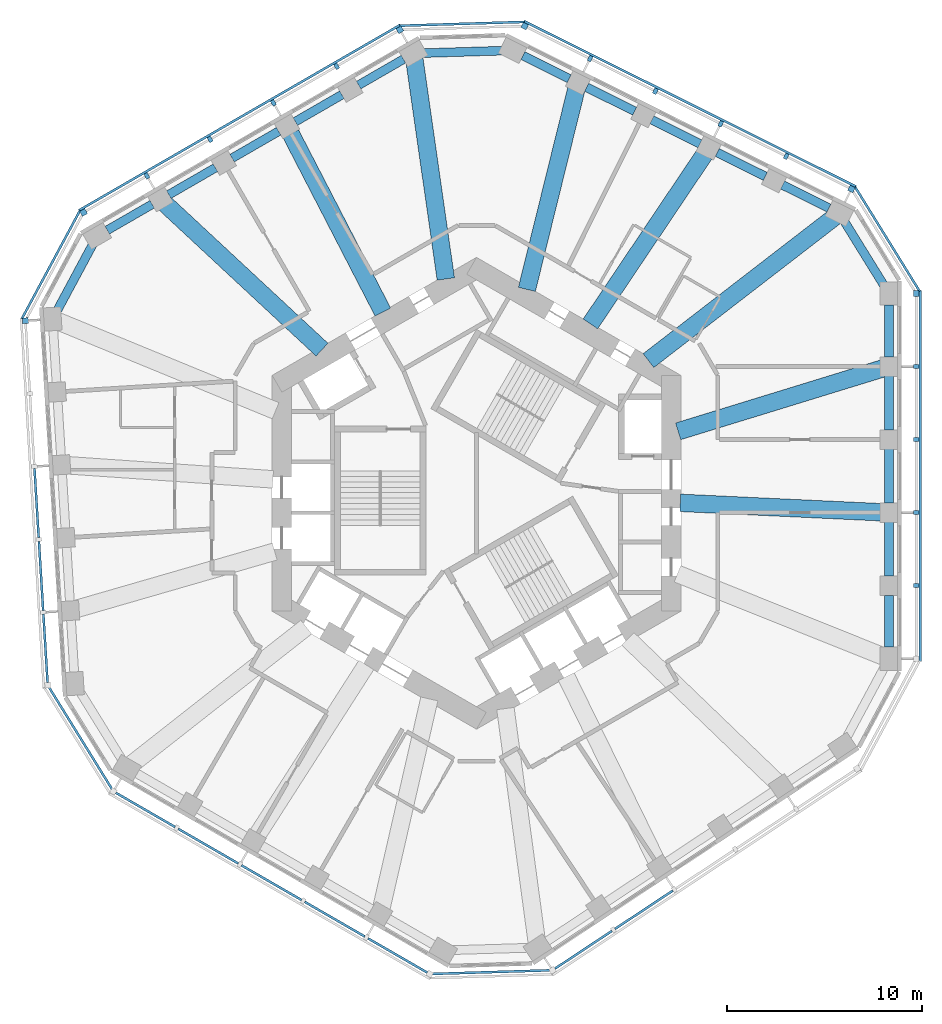
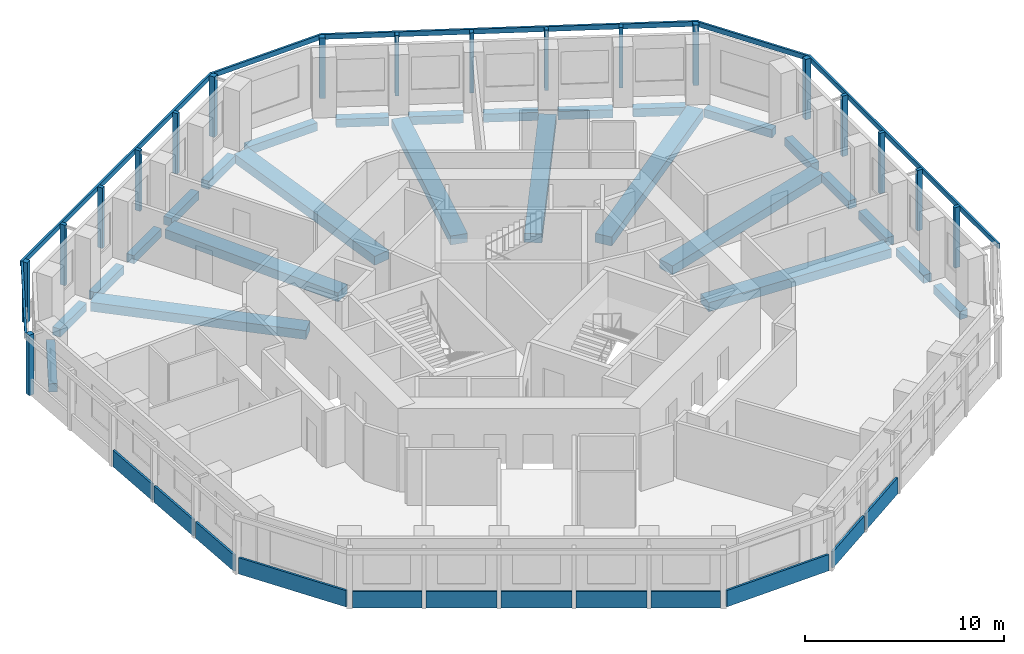
# One storey, part 2 of 10: 26 beams, 24 members, 12 plates, 11 elements without a shape of their own.
"""IFC4 building model written with IfcOpenShell, lengths in metres."""

from ifc_helpers import new_model, si_unit, direction, frame, origin, origin_2d, place, context, subcontext, project, spatial, rectangle, extrude, material, layer, layer_set, material_profile, profile_set, type_object, element, aggregate, save


model = new_model("IFC4")

# Units and contexts
model_context = context("Model", 3, precision=1e-05, world=origin(), true_north=direction((0.0, 1.0)))
body_context = subcontext(model_context, "Body", "Model", "MODEL_VIEW")
ifc_project = project(units=[si_unit("LENGTHUNIT", "METRE"), si_unit("AREAUNIT", "SQUARE_METRE"), si_unit("VOLUMEUNIT", "CUBIC_METRE"), si_unit("PLANEANGLEUNIT", "RADIAN"), si_unit("MASSUNIT", "GRAM", prefix="KILO")], contexts=[model_context])

# Site, building, storey
site_placement = place(None, origin())
site = spatial("IfcSite", under=ifc_project, at=site_placement, CompositionType="ELEMENT")
building_placement = place(site_placement, origin())
building = spatial("IfcBuilding", under=site, at=building_placement, Name="Vanh Sen Convention Tower", CompositionType="ELEMENT")
storey_placement = place(building_placement, frame((0.0, 0.0, 157.699951171875)))
storey = spatial("IfcBuildingStorey", under=building, at=storey_placement, Name="L38", CompositionType="ELEMENT", Elevation=157.699951171875)

# Curtain wall, member
ifc_material_1 = material(Name="Concrete C50/60", Category="concrete")
curtain_wall_type = type_object("IfcCurtainWallType", Name="Outer skin office zone", PredefinedType="NOTDEFINED", material=ifc_material_1)
curtain_wall_1_placement = place(storey_placement, origin())
curtain_wall_1 = element("IfcCurtainWall", 1, at=curtain_wall_1_placement, inside=storey, type_object=curtain_wall_type, Name="OUTER SKIN E L38", PredefinedType="NOTDEFINED")
ifc_material_profile_1 = material_profile(ifc_material_1, rectangle(XDim=0.300048828125, YDim=0.300048828125, at=origin_2d()), Name="Outer skin precast corner fin 300 x 300")
ifc_profile_set_1 = profile_set([ifc_material_profile_1], Name="Concrete C50/60")
member_type_1 = type_object("IfcMemberType", Name="Outer skin precast corner fin 300 x 300", PredefinedType="MULLION", material=ifc_profile_set_1)
member_1_placement = place(storey_placement, frame((22.60009765625, 10.26953125, 0.0), z_axis=(0.0, 0.0, 1.0), x_axis=(0.0, 1.0, 0.0)))
member_1 = element("IfcMember", 2, at=member_1_placement, type_object=member_type_1, Name="OUTER SKIN CORNER FIN 6 E L38", PredefinedType="MULLION", context=body_context, shape_type="SweptSolid", body=[
    extrude(rectangle(XDim=0.300048828125, YDim=0.300048828125, at=origin_2d()), origin(), (0.0, 0.0, 1.0), 3.699951171875),
])

# Curtain wall, members
curtain_wall_2_placement = place(storey_placement, origin())
curtain_wall_2 = element("IfcCurtainWall", 3, at=curtain_wall_2_placement, inside=storey, type_object=curtain_wall_type, Name="OUTER SKIN NE L38", PredefinedType="NOTDEFINED")
member_2_placement = place(storey_placement, frame((19.274658203125, 15.643310546875, 0.0), z_axis=(0.0, 0.0, 1.0), x_axis=(-0.894934361602, 0.44619781311, 0.0)))
member_2 = element("IfcMember", 4, at=member_2_placement, type_object=member_type_1, Name="OUTER SKIN CORNER FIN 1 NE L38", PredefinedType="MULLION", context=body_context, shape_type="SweptSolid", body=[
    extrude(rectangle(XDim=0.300048828125, YDim=0.300048828125, at=origin_2d()), origin(), (0.0, 0.0, 1.0), 3.699951171875),
])
member_3_placement = place(storey_placement, frame((2.476318359375, 24.0185546875, 0.0), z_axis=(0.0, 0.0, 1.0), x_axis=(-0.894934361602, 0.44619781311, 0.0)))
member_3 = element("IfcMember", 5, at=member_3_placement, type_object=member_type_1, Name="OUTER SKIN CORNER FIN 6 NE L38", PredefinedType="MULLION", context=body_context, shape_type="SweptSolid", body=[
    extrude(rectangle(XDim=0.300048828125, YDim=0.300048828125, at=origin_2d()), origin(), (0.0, 0.0, 1.0), 3.699951171875),
])

curtain_wall_3_placement = place(storey_placement, origin())
curtain_wall_3 = element("IfcCurtainWall", 6, at=curtain_wall_3_placement, inside=storey, type_object=curtain_wall_type, Name="OUTER SKIN NW L38", PredefinedType="NOTDEFINED")
member_4_placement = place(storey_placement, frame((-3.93798828125, 23.822509765625, 0.0), z_axis=(0.0, 0.0, 1.0), x_axis=(-0.866025403784, -0.5, 0.0)))
member_4 = element("IfcMember", 7, at=member_4_placement, type_object=member_type_1, Name="OUTER SKIN CORNER FIN 1 NW L38", PredefinedType="MULLION", context=body_context, shape_type="SweptSolid", body=[
    extrude(rectangle(XDim=0.300048828125, YDim=0.300048828125, at=origin_2d()), origin(), (0.0, 0.0, 1.0), 3.699951171875),
])
member_5_placement = place(storey_placement, frame((-20.193603515625, 14.4375, 0.0), z_axis=(0.0, 0.0, 1.0), x_axis=(-0.866025403784, -0.5, 0.0)))
member_5 = element("IfcMember", 8, at=member_5_placement, type_object=member_type_1, Name="OUTER SKIN CORNER FIN 6 NW L38", PredefinedType="MULLION", context=body_context, shape_type="SweptSolid", body=[
    extrude(rectangle(XDim=0.300048828125, YDim=0.300048828125, at=origin_2d()), origin(), (0.0, 0.0, 1.0), 3.699951171875),
])

# Curtain wall, member
curtain_wall_4_placement = place(storey_placement, origin())
curtain_wall_4 = element("IfcCurtainWall", 9, at=curtain_wall_4_placement, inside=storey, type_object=curtain_wall_type, Name="OUTER SKIN W L38", PredefinedType="NOTDEFINED")
member_6_placement = place(storey_placement, frame((-23.184814453125, 8.87060546875, 0.0), z_axis=(0.0, 0.0, 1.0), x_axis=(0.061048539535, -0.998134798422, 0.0)))
member_6 = element("IfcMember", 10, at=member_6_placement, type_object=member_type_1, Name="OUTER SKIN CORNER FIN 1 W L38", PredefinedType="MULLION", context=body_context, shape_type="SweptSolid", body=[
    extrude(rectangle(XDim=0.300048828125, YDim=0.300048828125, at=origin_2d()), origin(), (0.0, 0.0, 1.0), 3.699951171875),
])

# Member
ifc_material_profile_2 = material_profile(ifc_material_1, rectangle(XDim=0.199951171875, YDim=0.300048828125, at=origin_2d()), Name="Outer skin precast fin 200 x 300")
ifc_profile_set_2 = profile_set([ifc_material_profile_2], Name="Concrete C50/60")
member_type_2 = type_object("IfcMemberType", Name="Outer skin precast fin 200 x 300", PredefinedType="MULLION", material=ifc_profile_set_2)
member_7_placement = place(storey_placement, frame((22.60009765625, -4.746826171875, 0.0), z_axis=(0.0, 0.0, 1.0), x_axis=(0.0, 1.0, 0.0)))
member_7 = element("IfcMember", 11, at=member_7_placement, type_object=member_type_2, Name="OUTER SKIN fin 2 E L38", PredefinedType="MULLION", context=body_context, shape_type="SweptSolid", body=[
    extrude(rectangle(XDim=0.199951171875, YDim=0.300048828125, at=origin_2d()), origin(), (0.0, 0.0, 1.0), 3.699951171875),
])

member_8_placement = place(storey_placement, frame((22.60009765625, -0.992919921875, 0.0), z_axis=(0.0, 0.0, 1.0), x_axis=(0.0, 1.0, 0.0)))
member_8 = element("IfcMember", 12, at=member_8_placement, type_object=member_type_2, Name="OUTER SKIN fin 3 E L38", PredefinedType="MULLION", context=body_context, shape_type="SweptSolid", body=[
    extrude(rectangle(XDim=0.199951171875, YDim=0.300048828125, at=origin_2d()), origin(), (0.0, 0.0, 1.0), 3.699951171875),
])

member_9_placement = place(storey_placement, frame((22.60009765625, 2.76123046875, 0.0), z_axis=(0.0, 0.0, 1.0), x_axis=(0.0, 1.0, 0.0)))
member_9 = element("IfcMember", 13, at=member_9_placement, type_object=member_type_2, Name="OUTER SKIN fin 4 E L38", PredefinedType="MULLION", context=body_context, shape_type="SweptSolid", body=[
    extrude(rectangle(XDim=0.199951171875, YDim=0.300048828125, at=origin_2d()), origin(), (0.0, 0.0, 1.0), 3.699951171875),
])

member_10_placement = place(storey_placement, frame((22.60009765625, 6.515380859375, 0.0), z_axis=(0.0, 0.0, 1.0), x_axis=(0.0, 1.0, 0.0)))
member_10 = element("IfcMember", 14, at=member_10_placement, type_object=member_type_2, Name="OUTER SKIN fin 5 E L38", PredefinedType="MULLION", context=body_context, shape_type="SweptSolid", body=[
    extrude(rectangle(XDim=0.199951171875, YDim=0.300048828125, at=origin_2d()), origin(), (0.0, 0.0, 1.0), 3.699951171875),
])

member_11_placement = place(storey_placement, frame((15.9150390625, 17.318359375, 0.0), z_axis=(0.0, 0.0, 1.0), x_axis=(-0.894934361602, 0.44619781311, 0.0)))
member_11 = element("IfcMember", 15, at=member_11_placement, type_object=member_type_2, Name="OUTER SKIN fin 2 NE L38", PredefinedType="MULLION", context=body_context, shape_type="SweptSolid", body=[
    extrude(rectangle(XDim=0.199951171875, YDim=0.300048828125, at=origin_2d()), origin(), (0.0, 0.0, 1.0), 3.699951171875),
])

member_12_placement = place(storey_placement, frame((12.555419921875, 18.993408203125, 0.0), z_axis=(0.0, 0.0, 1.0), x_axis=(-0.894934361602, 0.44619781311, 0.0)))
member_12 = element("IfcMember", 16, at=member_12_placement, type_object=member_type_2, Name="OUTER SKIN fin 3 NE L38", PredefinedType="MULLION", context=body_context, shape_type="SweptSolid", body=[
    extrude(rectangle(XDim=0.199951171875, YDim=0.300048828125, at=origin_2d()), origin(), (0.0, 0.0, 1.0), 3.699951171875),
])

member_13_placement = place(storey_placement, frame((9.195556640625, 20.66845703125, 0.0), z_axis=(0.0, 0.0, 1.0), x_axis=(-0.894934361602, 0.44619781311, 0.0)))
member_13 = element("IfcMember", 17, at=member_13_placement, type_object=member_type_2, Name="OUTER SKIN fin 4 NE L38", PredefinedType="MULLION", context=body_context, shape_type="SweptSolid", body=[
    extrude(rectangle(XDim=0.199951171875, YDim=0.300048828125, at=origin_2d()), origin(), (0.0, 0.0, 1.0), 3.699951171875),
])

member_14_placement = place(storey_placement, frame((5.8359375, 22.343505859375, 0.0), z_axis=(0.0, 0.0, 1.0), x_axis=(-0.894934361602, 0.44619781311, 0.0)))
member_14 = element("IfcMember", 18, at=member_14_placement, type_object=member_type_2, Name="OUTER SKIN fin 5 NE L38", PredefinedType="MULLION", context=body_context, shape_type="SweptSolid", body=[
    extrude(rectangle(XDim=0.199951171875, YDim=0.300048828125, at=origin_2d()), origin(), (0.0, 0.0, 1.0), 3.699951171875),
])

member_15_placement = place(storey_placement, frame((-7.189208984375, 21.945556640625, 0.0), z_axis=(0.0, 0.0, 1.0), x_axis=(-0.866025403784, -0.5, 0.0)))
member_15 = element("IfcMember", 19, at=member_15_placement, type_object=member_type_2, Name="OUTER SKIN fin 2 NW L38", PredefinedType="MULLION", context=body_context, shape_type="SweptSolid", body=[
    extrude(rectangle(XDim=0.199951171875, YDim=0.300048828125, at=origin_2d()), origin(), (0.0, 0.0, 1.0), 3.699951171875),
])

member_16_placement = place(storey_placement, frame((-10.440185546875, 20.068603515625, 0.0), z_axis=(0.0, 0.0, 1.0), x_axis=(-0.866025403784, -0.5, 0.0)))
member_16 = element("IfcMember", 20, at=member_16_placement, type_object=member_type_2, Name="OUTER SKIN fin 3 NW L38", PredefinedType="MULLION", context=body_context, shape_type="SweptSolid", body=[
    extrude(rectangle(XDim=0.199951171875, YDim=0.300048828125, at=origin_2d()), origin(), (0.0, 0.0, 1.0), 3.699951171875),
])

member_17_placement = place(storey_placement, frame((-13.69140625, 18.19140625, 0.0), z_axis=(0.0, 0.0, 1.0), x_axis=(-0.866025403784, -0.5, 0.0)))
member_17 = element("IfcMember", 21, at=member_17_placement, type_object=member_type_2, Name="OUTER SKIN fin 4 NW L38", PredefinedType="MULLION", context=body_context, shape_type="SweptSolid", body=[
    extrude(rectangle(XDim=0.199951171875, YDim=0.300048828125, at=origin_2d()), origin(), (0.0, 0.0, 1.0), 3.699951171875),
])

member_18_placement = place(storey_placement, frame((-16.9423828125, 16.314453125, 0.0), z_axis=(0.0, 0.0, 1.0), x_axis=(-0.866025403784, -0.5, 0.0)))
member_18 = element("IfcMember", 22, at=member_18_placement, type_object=member_type_2, Name="OUTER SKIN fin 5 NW L38", PredefinedType="MULLION", context=body_context, shape_type="SweptSolid", body=[
    extrude(rectangle(XDim=0.199951171875, YDim=0.300048828125, at=origin_2d()), origin(), (0.0, 0.0, 1.0), 3.699951171875),
])

ifc_material_profile_3 = material_profile(ifc_material_1, rectangle(XDim=0.1201171875, YDim=0.300048828125, at=origin_2d()), Name="Outer skin precast spandrel band 300 x 120")
ifc_profile_set_3 = profile_set([ifc_material_profile_3], Name="Concrete C50/60")
member_type_3 = type_object("IfcMemberType", Name="Outer skin precast spandrel band 300 x 120", PredefinedType="USERDEFINED", material=ifc_profile_set_3)
member_19_placement = place(storey_placement, frame((22.81005859375, -8.65087890625, 3.550048828125), z_axis=(0.0, 1.0, 0.0), x_axis=(-1.0, 0.0, 0.0)))
member_19 = element("IfcMember", 23, at=member_19_placement, type_object=member_type_3, Name="OUTER SKIN spandrel band E L38", ObjectType="TRANSOM", PredefinedType="USERDEFINED", context=body_context, shape_type="SweptSolid", body=[
    extrude(rectangle(XDim=0.1201171875, YDim=0.300048828125, at=origin_2d()), origin(), (0.0, 0.0, 1.0), 19.0703125),
])

aggregate(curtain_wall_1, [member_7, member_8, member_9, member_10, member_1, member_19])

# Curtain wall, member
curtain_wall_5_placement = place(storey_placement, origin())
curtain_wall_5 = element("IfcCurtainWall", 24, at=curtain_wall_5_placement, inside=storey, type_object=curtain_wall_type, Name="OUTER SKIN CH1 L38", PredefinedType="NOTDEFINED")
member_20_placement = place(storey_placement, frame((22.778564453125, 10.3798828125, 3.550048828125), z_axis=(-0.526173726926, 0.850377098171, 0.0), x_axis=(-0.850377098171, -0.526173726926, 0.0)))
member_20 = element("IfcMember", 25, at=member_20_placement, type_object=member_type_3, Name="OUTER SKIN spandrel band CH1 L38", ObjectType="TRANSOM", PredefinedType="USERDEFINED", context=body_context, shape_type="SweptSolid", body=[
    extrude(rectangle(XDim=0.1201171875, YDim=0.300048828125, at=origin_2d()), origin(), (0.0, 0.0, 1.0), 6.319580078125),
])
aggregate(curtain_wall_5, [member_20])

# Member
member_21_placement = place(storey_placement, frame((19.502685546875, 15.764404296875, 3.550048828125), z_axis=(-0.894941234474, 0.446184027996, 0.0), x_axis=(-0.446184027996, -0.894941234474, 0.0)))
member_21 = element("IfcMember", 26, at=member_21_placement, type_object=member_type_3, Name="OUTER SKIN spandrel band NE L38", ObjectType="TRANSOM", PredefinedType="USERDEFINED", context=body_context, shape_type="SweptSolid", body=[
    extrude(rectangle(XDim=0.1201171875, YDim=0.300048828125, at=origin_2d()), origin(), (0.0, 0.0, 1.0), 19.07080078125),
])

aggregate(curtain_wall_2, [member_2, member_11, member_12, member_13, member_14, member_3, member_21])

# Curtain wall, member
curtain_wall_6_placement = place(storey_placement, origin())
curtain_wall_6 = element("IfcCurtainWall", 27, at=curtain_wall_6_placement, inside=storey, type_object=curtain_wall_type, Name="OUTER SKIN CH2 L38", PredefinedType="NOTDEFINED")
member_22_placement = place(storey_placement, frame((2.4697265625, 24.228515625, 3.550048828125), z_axis=(-0.999533221695, -0.030550592913, 0.0), x_axis=(0.030550592913, -0.999533221695, 0.0)))
member_22 = element("IfcMember", 28, at=member_22_placement, type_object=member_type_3, Name="OUTER SKIN spandrel band CH2 L38", ObjectType="TRANSOM", PredefinedType="USERDEFINED", context=body_context, shape_type="SweptSolid", body=[
    extrude(rectangle(XDim=0.1201171875, YDim=0.300048828125, at=origin_2d()), origin(), (0.0, 0.0, 1.0), 6.4169921875),
])
aggregate(curtain_wall_6, [member_22])

# Member
member_23_placement = place(storey_placement, frame((-3.9130859375, 24.07958984375, 3.550048828125), z_axis=(-0.866023136587, -0.500003926881, 0.0), x_axis=(0.500003926881, -0.866023136587, 0.0)))
member_23 = element("IfcMember", 29, at=member_23_placement, type_object=member_type_3, Name="OUTER SKIN spandrel band NW L38", ObjectType="TRANSOM", PredefinedType="USERDEFINED", context=body_context, shape_type="SweptSolid", body=[
    extrude(rectangle(XDim=0.1201171875, YDim=0.300048828125, at=origin_2d()), origin(), (0.0, 0.0, 1.0), 19.070556640625),
])

aggregate(curtain_wall_3, [member_4, member_15, member_16, member_17, member_18, member_5, member_23])

# Curtain wall, member
curtain_wall_7_placement = place(storey_placement, origin())
curtain_wall_7 = element("IfcCurtainWall", 30, at=curtain_wall_7_placement, inside=storey, type_object=curtain_wall_type, Name="OUTER SKIN CH3 L38", PredefinedType="NOTDEFINED")
member_24_placement = place(storey_placement, frame((-20.378662109375, 14.536865234375, 3.550048828125), z_axis=(-0.47333707755, -0.880881383057, 0.0), x_axis=(0.880881383057, -0.47333707755, 0.0)))
member_24 = element("IfcMember", 31, at=member_24_placement, type_object=member_type_3, Name="OUTER SKIN spandrel band CH3 L38", ObjectType="TRANSOM", PredefinedType="USERDEFINED", context=body_context, shape_type="SweptSolid", body=[
    extrude(rectangle(XDim=0.1201171875, YDim=0.300048828125, at=origin_2d()), origin(), (0.0, 0.0, 1.0), 6.3193359375),
])
aggregate(curtain_wall_7, [member_24])

# Beams
ifc_material_2 = material(Name="Concrete C50/60", Category="concrete")
ifc_material_profile_4 = material_profile(ifc_material_2, rectangle(XDim=0.89990234375, YDim=0.550048828125, at=origin_2d()), Name="RC 900X550")
ifc_profile_set_4 = profile_set([ifc_material_profile_4], Name="Concrete C50/60")
beam_type_1 = type_object("IfcBeamType", Name="Radial floor beam 900 x 550", PredefinedType="BEAM", material=ifc_profile_set_4)
beam_1_placement = place(storey_placement, frame((20.77587890625, -0.972900390625, -0.554931640625), z_axis=(-0.998905318596, 0.046777820399, 0.0), x_axis=(-0.046777820399, -0.998905318596, 0.0)))
element("IfcBeam", 32, at=beam_1_placement, inside=storey, type_object=beam_type_1, Name="Radial beam 02 L38", PredefinedType="BEAM", context=body_context, shape_type="SweptSolid", body=[
    extrude(rectangle(XDim=0.89990234375, YDim=0.550048828125, at=origin_2d()), origin(), (0.0, 0.0, 1.0), 10.31298828125),
])
beam_2_placement = place(storey_placement, frame((20.9775390625, 6.447021484375, -0.554931640625), z_axis=(-0.955874982074, -0.29377375418, 0.0), x_axis=(0.29377375418, -0.955874982074, 0.0)))
element("IfcBeam", 33, at=beam_2_placement, inside=storey, type_object=beam_type_1, Name="Radial beam 03 L38", PredefinedType="BEAM", context=body_context, shape_type="SweptSolid", body=[
    extrude(rectangle(XDim=0.89990234375, YDim=0.550048828125, at=origin_2d()), origin(), (0.0, 0.0, 1.0), 11.1044921875),
])
beam_3_placement = place(storey_placement, frame((18.4306640625, 14.22119140625, -0.554931640625), z_axis=(-0.791711533114, -0.610895120568, 0.0), x_axis=(0.610895120568, -0.791711533114, 0.0)))
element("IfcBeam", 34, at=beam_3_placement, inside=storey, type_object=beam_type_1, Name="Radial beam 04 L38", PredefinedType="BEAM", context=body_context, shape_type="SweptSolid", body=[
    extrude(rectangle(XDim=0.89990234375, YDim=0.550048828125, at=origin_2d()), origin(), (0.0, 0.0, 1.0), 12.11669921875),
])
beam_4_placement = place(storey_placement, frame((11.712890625, 17.416748046875, -0.554931640625), z_axis=(-0.558049212229, -0.829807855308, 0.0), x_axis=(0.829807855308, -0.558049212229, 0.0)))
element("IfcBeam", 35, at=beam_4_placement, inside=storey, type_object=beam_type_1, Name="Radial beam 05 L38", PredefinedType="BEAM", context=body_context, shape_type="SweptSolid", body=[
    extrude(rectangle(XDim=0.89990234375, YDim=0.550048828125, at=origin_2d()), origin(), (0.0, 0.0, 1.0), 10.500244140625),
])
beam_5_placement = place(storey_placement, frame((5.1455078125, 20.824951171875, -0.554931640625), z_axis=(-0.239866381143, -0.970805912218, 0.0), x_axis=(0.970805912218, -0.239866381143, 0.0)))
element("IfcBeam", 36, at=beam_5_placement, inside=storey, type_object=beam_type_1, Name="Radial beam 06 L38", PredefinedType="BEAM", context=body_context, shape_type="SweptSolid", body=[
    extrude(rectangle(XDim=0.89990234375, YDim=0.550048828125, at=origin_2d()), origin(), (0.0, 0.0, 1.0), 10.656494140625),
])
beam_6_placement = place(storey_placement, frame((-3.195556640625, 22.31396484375, -0.554931640625), z_axis=(0.141765709165, -0.989900239269, 0.0), x_axis=(0.989900239269, 0.141765709165, 0.0)))
element("IfcBeam", 37, at=beam_6_placement, inside=storey, type_object=beam_type_1, Name="Radial beam 07 L38", PredefinedType="BEAM", context=body_context, shape_type="SweptSolid", body=[
    extrude(rectangle(XDim=0.89990234375, YDim=0.550048828125, at=origin_2d()), origin(), (0.0, 0.0, 1.0), 11.414306640625),
])
beam_7_placement = place(storey_placement, frame((-9.54541015625, 18.47900390625, -0.554931640625), z_axis=(0.458935346364, -0.888469666257, 0.0), x_axis=(0.888469666257, 0.458935346364, 0.0)))
element("IfcBeam", 38, at=beam_7_placement, inside=storey, type_object=beam_type_1, Name="Radial beam 08 L38", PredefinedType="BEAM", context=body_context, shape_type="SweptSolid", body=[
    extrude(rectangle(XDim=0.89990234375, YDim=0.550048828125, at=origin_2d()), origin(), (0.0, 0.0, 1.0), 10.313232421875),
])
beam_8_placement = place(storey_placement, frame((-16.072021484375, 14.943603515625, -0.554931640625), z_axis=(0.732340727094, -0.680938366843, 0.0), x_axis=(0.680938366843, 0.732340727094, 0.0)))
element("IfcBeam", 39, at=beam_8_placement, inside=storey, type_object=beam_type_1, Name="Radial beam 09 L38", PredefinedType="BEAM", context=body_context, shape_type="SweptSolid", body=[
    extrude(rectangle(XDim=0.89990234375, YDim=0.550048828125, at=origin_2d()), origin(), (0.0, 0.0, 1.0), 11.1044921875),
])
ifc_material_profile_5 = material_profile(ifc_material_2, rectangle(XDim=0.449951171875, YDim=0.5, at=origin_2d()), Name="RC 450X500")
ifc_profile_set_5 = profile_set([ifc_material_profile_5], Name="Concrete C50/60")
beam_type_2 = type_object("IfcBeamType", Name="Spandrel beam 450 x 500", PredefinedType="SPANDREL", material=ifc_profile_set_5)
beam_9_placement = place(storey_placement, frame((21.199951171875, -7.906005859375, -0.530029296875), z_axis=(0.0, 1.0, 0.0), x_axis=(-1.0, 0.0, 0.0)))
element("IfcBeam", 40, at=beam_9_placement, inside=storey, type_object=beam_type_2, Name="Spandrel beam 01 L38", PredefinedType="SPANDREL", context=body_context, shape_type="SweptSolid", body=[
    extrude(rectangle(XDim=0.449951171875, YDim=0.5, at=origin_2d()), origin(), (0.0, 0.0, 1.0), 2.6640625),
])
for number, where, z_axis, x_axis, name in (
    (41, (21.199951171875, -4.251953125, -0.530029296875), (0.0, 1.0, 0.0), (-1.0, 0.0, 0.0), "Spandrel beam 02 L38"),
    (42, (21.199951171875, -0.497802734375, -0.530029296875), (0.0, 1.0, 0.0), (-1.0, 0.0, 0.0), "Spandrel beam 03 L38"),
    (43, (21.199951171875, 3.25634765625, -0.530029296875), (0.0, 1.0, 0.0), (-1.0, 0.0, 0.0), "Spandrel beam 04 L38"),
):
    element("IfcBeam", number, at=place(storey_placement, frame(where, z_axis=z_axis, x_axis=x_axis)), inside=storey, type_object=beam_type_2, Name=name, PredefinedType="SPANDREL", context=body_context, shape_type="SweptSolid", body=[
        extrude(rectangle(XDim=0.449951171875, YDim=0.5, at=origin_2d()), origin(), (0.0, 0.0, 1.0), 2.76416015625),
    ])
beam_10_placement = place(storey_placement, frame((21.199951171875, 7.010498046875, -0.530029296875), z_axis=(0.0, 1.0, 0.0), x_axis=(-1.0, 0.0, 0.0)))
element("IfcBeam", 44, at=beam_10_placement, inside=storey, type_object=beam_type_2, Name="Spandrel beam 05 L38", PredefinedType="SPANDREL", context=body_context, shape_type="SweptSolid", body=[
    extrude(rectangle(XDim=0.449951171875, YDim=0.5, at=origin_2d()), origin(), (0.0, 0.0, 1.0), 2.6640625),
])
beam_11_placement = place(storey_placement, frame((20.944091796875, 10.683349609375, -0.530029296875), z_axis=(-0.526220063476, 0.850348425526, 0.0), x_axis=(-0.850348425526, -0.526220063476, 0.0)))
element("IfcBeam", 45, at=beam_11_placement, inside=storey, type_object=beam_type_2, Name="Spandrel beam 06 L38", PredefinedType="SPANDREL", context=body_context, shape_type="SweptSolid", body=[
    extrude(rectangle(XDim=0.449951171875, YDim=0.5, at=origin_2d()), origin(), (0.0, 0.0, 1.0), 3.873046875),
])
beam_12_placement = place(storey_placement, frame((18.117431640625, 14.656005859375, -0.530029296875), z_axis=(-0.894958126718, 0.446150144482, 0.0), x_axis=(-0.446150144482, -0.894958126718, 0.0)))
element("IfcBeam", 46, at=beam_12_placement, inside=storey, type_object=beam_type_2, Name="Spandrel beam 07 L38", PredefinedType="SPANDREL", context=body_context, shape_type="SweptSolid", body=[
    extrude(rectangle(XDim=0.449951171875, YDim=0.5, at=origin_2d()), origin(), (0.0, 0.0, 1.0), 2.663818359375),
])
beam_13_placement = place(storey_placement, frame((14.847412109375, 16.286376953125, -0.530029296875), z_axis=(-0.894974121341, 0.446118058511, 0.0), x_axis=(-0.446118058511, -0.894974121341, 0.0)))
element("IfcBeam", 47, at=beam_13_placement, inside=storey, type_object=beam_type_2, Name="Spandrel beam 08 L38", PredefinedType="SPANDREL", context=body_context, shape_type="SweptSolid", body=[
    extrude(rectangle(XDim=0.449951171875, YDim=0.5, at=origin_2d()), origin(), (0.0, 0.0, 1.0), 2.76416015625),
])
beam_14_placement = place(storey_placement, frame((11.487548828125, 17.96142578125, -0.530029296875), z_axis=(-0.894956541152, 0.446153325045, 0.0), x_axis=(-0.446153325045, -0.894956541152, 0.0)))
element("IfcBeam", 48, at=beam_14_placement, inside=storey, type_object=beam_type_2, Name="Spandrel beam 09 L38", PredefinedType="SPANDREL", context=body_context, shape_type="SweptSolid", body=[
    extrude(rectangle(XDim=0.449951171875, YDim=0.5, at=origin_2d()), origin(), (0.0, 0.0, 1.0), 2.763916015625),
])
beam_15_placement = place(storey_placement, frame((8.1279296875, 19.636474609375, -0.530029296875), z_axis=(-0.89492127077, 0.446224068292, 0.0), x_axis=(-0.446224068292, -0.89492127077, 0.0)))
element("IfcBeam", 49, at=beam_15_placement, inside=storey, type_object=beam_type_2, Name="Spandrel beam 10 L38", PredefinedType="SPANDREL", context=body_context, shape_type="SweptSolid", body=[
    extrude(rectangle(XDim=0.449951171875, YDim=0.5, at=origin_2d()), origin(), (0.0, 0.0, 1.0), 2.76416015625),
])
beam_16_placement = place(storey_placement, frame((4.768310546875, 21.3115234375, -0.530029296875), z_axis=(-0.894939776695, 0.446186951948, 0.0), x_axis=(-0.446186951948, -0.894939776695, 0.0)))
element("IfcBeam", 50, at=beam_16_placement, inside=storey, type_object=beam_type_2, Name="Spandrel beam 11 L38", PredefinedType="SPANDREL", context=body_context, shape_type="SweptSolid", body=[
    extrude(rectangle(XDim=0.449951171875, YDim=0.5, at=origin_2d()), origin(), (0.0, 0.0, 1.0), 2.6640625),
])
beam_17_placement = place(storey_placement, frame((1.32470703125, 22.74951171875, -0.530029296875), z_axis=(-0.999533715833, -0.030534421783, 0.0), x_axis=(0.030534421783, -0.999533715833, 0.0)))
element("IfcBeam", 51, at=beam_17_placement, inside=storey, type_object=beam_type_2, Name="Spandrel beam 12 L38", PredefinedType="SPANDREL", context=body_context, shape_type="SweptSolid", body=[
    extrude(rectangle(XDim=0.449951171875, YDim=0.5, at=origin_2d()), origin(), (0.0, 0.0, 1.0), 4.037841796875),
])
beam_18_placement = place(storey_placement, frame((-3.753173828125, 22.312744140625, -0.530029296875), z_axis=(-0.866023818221, -0.500002746266, 0.0), x_axis=(0.500002746266, -0.866023818221, 0.0)))
element("IfcBeam", 52, at=beam_18_placement, inside=storey, type_object=beam_type_2, Name="Spandrel beam 13 L38", PredefinedType="SPANDREL", context=body_context, shape_type="SweptSolid", body=[
    extrude(rectangle(XDim=0.449951171875, YDim=0.5, at=origin_2d()), origin(), (0.0, 0.0, 1.0), 2.6640625),
])
for number, where, z_axis, x_axis, name in (
    (53, (-6.917724609375, 20.485595703125, -0.530029296875), (-0.866022320763, -0.500005339912, 0.0), (0.500005339912, -0.866022320763, 0.0), "Spandrel beam 14 L38"),
    (54, (-10.1689453125, 18.608642578125, -0.530029296875), (-0.866022320763, -0.500005339912, 0.0), (0.500005339912, -0.866022320763, 0.0), "Spandrel beam 15 L38"),
):
    element("IfcBeam", number, at=place(storey_placement, frame(where, z_axis=z_axis, x_axis=x_axis)), inside=storey, type_object=beam_type_2, Name=name, PredefinedType="SPANDREL", context=body_context, shape_type="SweptSolid", body=[
        extrude(rectangle(XDim=0.449951171875, YDim=0.5, at=origin_2d()), origin(), (0.0, 0.0, 1.0), 2.76416015625),
    ])
beam_19_placement = place(storey_placement, frame((-13.420166015625, 16.731689453125, -0.530029296875), z_axis=(-0.866000236617, -0.500043588279, 0.0), x_axis=(0.500043588279, -0.866000236617, 0.0)))
element("IfcBeam", 55, at=beam_19_placement, inside=storey, type_object=beam_type_2, Name="Spandrel beam 16 L38", PredefinedType="SPANDREL", context=body_context, shape_type="SweptSolid", body=[
    extrude(rectangle(XDim=0.449951171875, YDim=0.5, at=origin_2d()), origin(), (0.0, 0.0, 1.0), 2.763916015625),
])
beam_20_placement = place(storey_placement, frame((-16.671142578125, 14.8544921875, -0.530029296875), z_axis=(-0.866046726429, -0.499963066278, 0.0), x_axis=(0.499963066278, -0.866046726429, 0.0)))
element("IfcBeam", 56, at=beam_20_placement, inside=storey, type_object=beam_type_2, Name="Spandrel beam 17 L38", PredefinedType="SPANDREL", context=body_context, shape_type="SweptSolid", body=[
    extrude(rectangle(XDim=0.449951171875, YDim=0.5, at=origin_2d()), origin(), (0.0, 0.0, 1.0), 2.664306640625),
])
beam_21_placement = place(storey_placement, frame((-19.72412109375, 12.79638671875, -0.530029296875), z_axis=(-0.473295157781, -0.880903907144, 0.0), x_axis=(0.880903907144, -0.473295157781, 0.0)))
element("IfcBeam", 57, at=beam_21_placement, inside=storey, type_object=beam_type_2, Name="Spandrel beam 18 L38", PredefinedType="SPANDREL", context=body_context, shape_type="SweptSolid", body=[
    extrude(rectangle(XDim=0.449951171875, YDim=0.5, at=origin_2d()), origin(), (0.0, 0.0, 1.0), 3.872802734375),
])

# Plate
ifc_layer = layer(ifc_material_1, 0.1201171875)
ifc_layer_set = layer_set([ifc_layer], Name="Concrete C50/60")
plate_type = type_object("IfcPlateType", Name="Outer skin precast screen panel 120", PredefinedType="CURTAIN_PANEL", material=ifc_layer_set)
plate_1_placement = place(storey_placement, frame((-22.61181640625, -0.4970703125, 0.0), z_axis=(0.0, 0.0, 1.0), x_axis=(0.061053765756, -0.998134478759, 0.0)))
plate_1 = element("IfcPlate", 58, at=plate_1_placement, type_object=plate_type, Name="OUTER SKIN screen panel W-3", PredefinedType="CURTAIN_PANEL", context=body_context, shape_type="SweptSolid", body=[
    extrude(rectangle(XDim=3.55419921875, YDim=0.1201171875, at=origin_2d()), origin(), (0.0, 0.0, 1.0), 1.0),
])

plate_2_placement = place(storey_placement, frame((-22.382568359375, -4.244140625, 0.0), z_axis=(0.0, 0.0, 1.0), x_axis=(0.061025892559, -0.998136183312, 0.0)))
plate_2 = element("IfcPlate", 59, at=plate_2_placement, type_object=plate_type, Name="OUTER SKIN screen panel W-4", PredefinedType="CURTAIN_PANEL", context=body_context, shape_type="SweptSolid", body=[
    extrude(rectangle(XDim=3.55419921875, YDim=0.1201171875, at=origin_2d()), origin(), (0.0, 0.0, 1.0), 1.0),
])

plate_3_placement = place(storey_placement, frame((-22.155029296875, -7.96630859375, 0.0), z_axis=(0.0, 0.0, 1.0), x_axis=(0.061053765756, -0.998134478759, 0.0)))
plate_3 = element("IfcPlate", 60, at=plate_3_placement, type_object=plate_type, Name="OUTER SKIN screen panel W-5", PredefinedType="CURTAIN_PANEL", context=body_context, shape_type="SweptSolid", body=[
    extrude(rectangle(XDim=3.504150390625, YDim=0.1201171875, at=origin_2d()), origin(), (0.0, 0.0, 1.0), 1.0),
])

aggregate(curtain_wall_4, [member_6, plate_1, plate_2, plate_3])

# Curtain wall, plate
curtain_wall_8_placement = place(storey_placement, origin())
curtain_wall_8 = element("IfcCurtainWall", 61, at=curtain_wall_8_placement, inside=storey, type_object=curtain_wall_type, Name="OUTER SKIN CH4 L38", PredefinedType="NOTDEFINED")
plate_4_placement = place(storey_placement, frame((-20.3505859375, -12.59326171875, 0.0), z_axis=(0.0, 0.0, 1.0), x_axis=(0.526218376078, -0.850349469734, 0.0)))
plate_4 = element("IfcPlate", 62, at=plate_4_placement, type_object=plate_type, Name="OUTER SKIN screen panel CH4-1", PredefinedType="CURTAIN_PANEL", context=body_context, shape_type="SweptSolid", body=[
    extrude(rectangle(XDim=6.1171875, YDim=0.1201171875, at=origin_2d()), origin(), (0.0, 0.0, 1.0), 1.0),
])
aggregate(curtain_wall_8, [plate_4])

# Curtain wall, plates
curtain_wall_9_placement = place(storey_placement, origin())
curtain_wall_9 = element("IfcCurtainWall", 63, at=curtain_wall_9_placement, inside=storey, type_object=curtain_wall_type, Name="OUTER SKIN SW L38", PredefinedType="NOTDEFINED")
plate_5_placement = place(storey_placement, frame((-17.014892578125, -16.272705078125, 0.0), z_axis=(0.0, 0.0, 1.0), x_axis=(0.86602365845, -0.500003022996, 0.0)))
plate_5 = element("IfcPlate", 64, at=plate_5_placement, type_object=plate_type, Name="OUTER SKIN screen panel SW-1", PredefinedType="CURTAIN_PANEL", context=body_context, shape_type="SweptSolid", body=[
    extrude(rectangle(XDim=3.504150390625, YDim=0.1201171875, at=origin_2d()), origin(), (0.0, 0.0, 1.0), 1.0),
])
plate_6_placement = place(storey_placement, frame((-13.785400390625, -18.13720703125, 0.0), z_axis=(0.0, 0.0, 1.0), x_axis=(0.866028021766, -0.499995465495, 0.0)))
plate_6 = element("IfcPlate", 65, at=plate_6_placement, type_object=plate_type, Name="OUTER SKIN screen panel SW-2", PredefinedType="CURTAIN_PANEL", context=body_context, shape_type="SweptSolid", body=[
    extrude(rectangle(XDim=3.553955078125, YDim=0.1201171875, at=origin_2d()), origin(), (0.0, 0.0, 1.0), 1.0),
])
plate_7_placement = place(storey_placement, frame((-10.5341796875, -20.014404296875, 0.0), z_axis=(0.0, 0.0, 1.0), x_axis=(0.86602365845, -0.500003022996, 0.0)))
plate_7 = element("IfcPlate", 66, at=plate_7_placement, type_object=plate_type, Name="OUTER SKIN screen panel SW-3", PredefinedType="CURTAIN_PANEL", context=body_context, shape_type="SweptSolid", body=[
    extrude(rectangle(XDim=3.55419921875, YDim=0.1201171875, at=origin_2d()), origin(), (0.0, 0.0, 1.0), 1.0),
])
plate_8_placement = place(storey_placement, frame((-7.283203125, -21.891357421875, 0.0), z_axis=(0.0, 0.0, 1.0), x_axis=(0.866016677006, -0.500015114919, 0.0)))
plate_8 = element("IfcPlate", 67, at=plate_8_placement, type_object=plate_type, Name="OUTER SKIN screen panel SW-4", PredefinedType="CURTAIN_PANEL", context=body_context, shape_type="SweptSolid", body=[
    extrude(rectangle(XDim=3.55419921875, YDim=0.1201171875, at=origin_2d()), origin(), (0.0, 0.0, 1.0), 1.0),
])
plate_9_placement = place(storey_placement, frame((-4.0537109375, -23.755859375, 0.0), z_axis=(0.0, 0.0, 1.0), x_axis=(0.866035002936, -0.499983373414, 0.0)))
plate_9 = element("IfcPlate", 68, at=plate_9_placement, type_object=plate_type, Name="OUTER SKIN screen panel SW-5", PredefinedType="CURTAIN_PANEL", context=body_context, shape_type="SweptSolid", body=[
    extrude(rectangle(XDim=3.504150390625, YDim=0.1201171875, at=origin_2d()), origin(), (0.0, 0.0, 1.0), 1.0),
])
aggregate(curtain_wall_9, [plate_5, plate_6, plate_7, plate_8, plate_9])

# Curtain wall, plate
curtain_wall_10_placement = place(storey_placement, origin())
curtain_wall_10 = element("IfcCurtainWall", 69, at=curtain_wall_10_placement, inside=storey, type_object=curtain_wall_type, Name="OUTER SKIN CH5 L38", PredefinedType="NOTDEFINED")
plate_10_placement = place(storey_placement, frame((0.751953125, -24.6103515625, 0.0), z_axis=(0.0, 0.0, 1.0), x_axis=(0.999533537535, 0.030540257725, 0.0)))
plate_10 = element("IfcPlate", 70, at=plate_10_placement, type_object=plate_type, Name="OUTER SKIN screen panel CH5-1", PredefinedType="CURTAIN_PANEL", context=body_context, shape_type="SweptSolid", body=[
    extrude(rectangle(XDim=6.019287109375, YDim=0.1201171875, at=origin_2d()), origin(), (0.0, 0.0, 1.0), 1.0),
])
aggregate(curtain_wall_10, [plate_10])

# Curtain wall, plates
curtain_wall_11_placement = place(storey_placement, origin())
curtain_wall_11 = element("IfcCurtainWall", 71, at=curtain_wall_11_placement, inside=storey, type_object=curtain_wall_type, Name="OUTER SKIN SE L38", PredefinedType="NOTDEFINED")
plate_11_placement = place(storey_placement, frame((5.49609375, -23.464111328125, 0.0), z_axis=(0.0, 0.0, 1.0), x_axis=(0.833889675294, 0.551931163677, 0.0)))
plate_11 = element("IfcPlate", 72, at=plate_11_placement, type_object=plate_type, Name="OUTER SKIN screen panel SE-1", PredefinedType="CURTAIN_PANEL", context=body_context, shape_type="SweptSolid", body=[
    extrude(rectangle(XDim=3.504150390625, YDim=0.1201171875, at=origin_2d()), origin(), (0.0, 0.0, 1.0), 1.0),
])
plate_12_placement = place(storey_placement, frame((8.60595703125, -21.406005859375, 0.0), z_axis=(0.0, 0.0, 1.0), x_axis=(0.833889675294, 0.551931163677, 0.0)))
plate_12 = element("IfcPlate", 73, at=plate_12_placement, type_object=plate_type, Name="OUTER SKIN screen panel SE-2", PredefinedType="CURTAIN_PANEL", context=body_context, shape_type="SweptSolid", body=[
    extrude(rectangle(XDim=3.55419921875, YDim=0.1201171875, at=origin_2d()), origin(), (0.0, 0.0, 1.0), 1.0),
])
aggregate(curtain_wall_11, [plate_11, plate_12])

save(model, "model.ifc")
